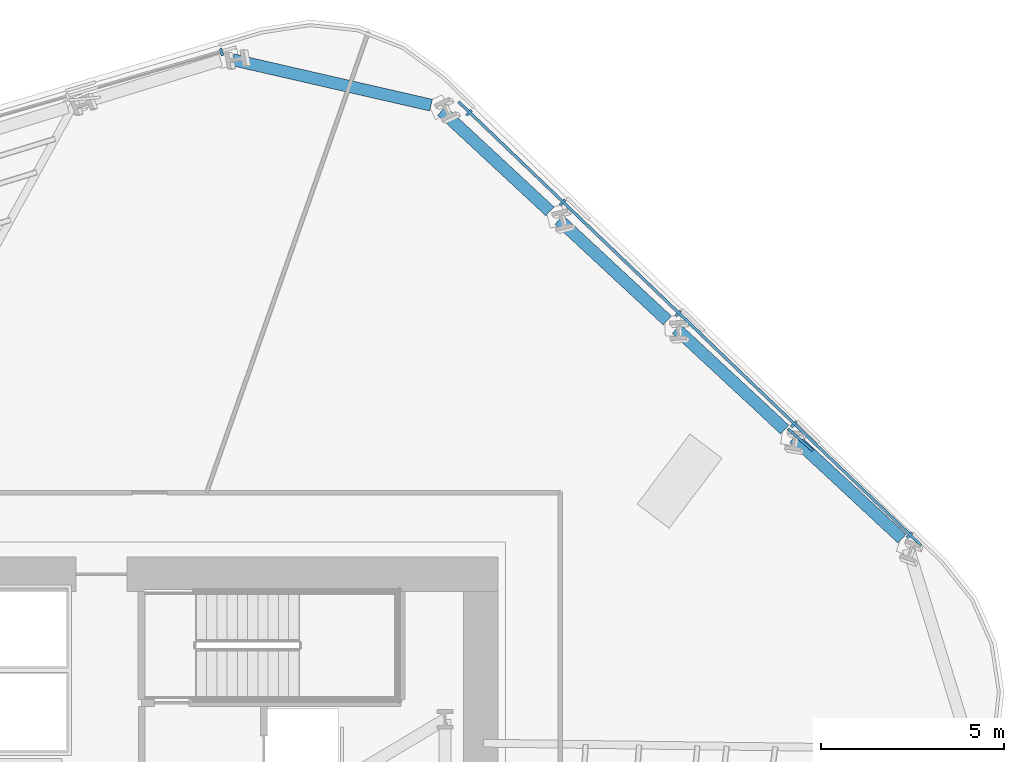
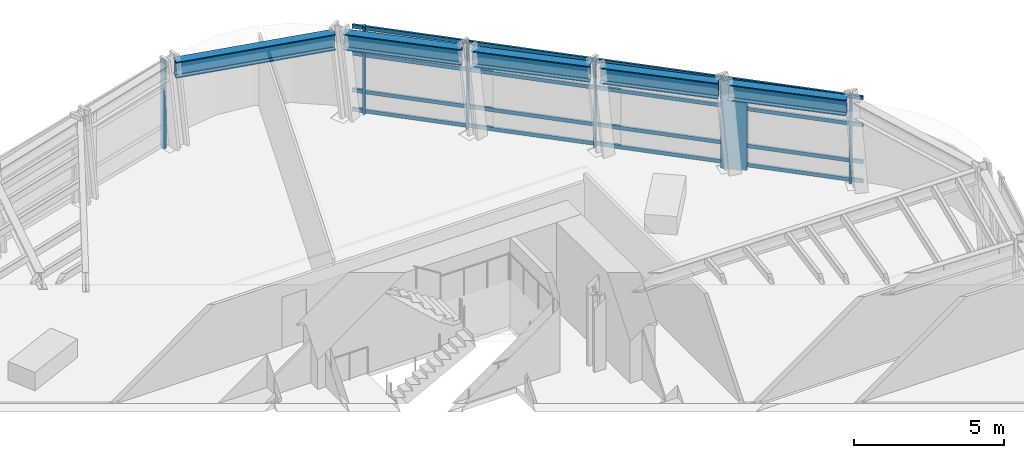
# One storey, part 6 of 15: 11 members, 5 beams, 2 elements without a shape of their own.
"""IFC4 building model written with IfcOpenShell, lengths in metres."""

from ifc_helpers import new_model, si_unit, direction, frame, origin, origin_2d, place, context, subcontext, project, spatial, rectangle, i_section, extrude, material, layer, layer_set, material_profile, profile_set, type_object, element, aggregate, save


model = new_model("IFC4")

# Units and contexts
model_context = context("Model", 3, precision=1e-05, world=origin(), true_north=direction((0.0, 1.0)))
body_context = subcontext(model_context, "Body", "Model", "MODEL_VIEW")
ifc_project = project(units=[si_unit("LENGTHUNIT", "METRE"), si_unit("AREAUNIT", "SQUARE_METRE"), si_unit("VOLUMEUNIT", "CUBIC_METRE"), si_unit("PLANEANGLEUNIT", "RADIAN"), si_unit("MASSUNIT", "GRAM", prefix="KILO")], contexts=[model_context])

# Site, building, storey
site_placement = place(None, origin())
site = spatial("IfcSite", under=ifc_project, at=site_placement, CompositionType="ELEMENT")
building_placement = place(site_placement, origin())
building = spatial("IfcBuilding", under=site, at=building_placement, Name="Valkerne Bourse Tower", CompositionType="ELEMENT")
storey_placement = place(building_placement, frame((0.0, 0.0, 93.39990234375)))
storey = spatial("IfcBuildingStorey", under=building, at=storey_placement, Name="L23", CompositionType="ELEMENT", Elevation=93.39990234375)

# Beams
ifc_material_1 = material(Name="Steel ASTM A992", Category="steel")
ifc_material_profile_1 = material_profile(ifc_material_1, i_section(OverallWidth=0.330078125, OverallDepth=0.647705078125, WebThickness=0.0205078125, FlangeThickness=0.037109375, FilletRadius=0.020263671875, at=origin_2d()), Name="W24X192")
ifc_profile_set_1 = profile_set([ifc_material_profile_1], Name="Steel ASTM A992")
beam_type = type_object("IfcBeamType", Name="BM-W24X192", PredefinedType="SPANDREL", material=ifc_profile_set_1)
for number, where, z_axis, x_axis, name in (
    (1, (67.451904296875, 36.59619140625, 3.25634765625), (-0.732565484331, 0.68069656321, 0.0), (-0.68069656321, -0.732565484331, 0.0), "L23 Hexagonal Spandrel Ring Beam 00"),
    (2, (64.2412109375, 39.579833984375, 3.25634765625), (-0.732565484331, 0.68069656321, 0.0), (-0.68069656321, -0.732565484331, 0.0), "L23 Hexagonal Spandrel Ring Beam 01"),
    (3, (61.030517578125, 42.5634765625, 3.25634765625), (-0.732565484331, 0.68069656321, 0.0), (-0.68069656321, -0.732565484331, 0.0), "L23 Hexagonal Spandrel Ring Beam 02"),
):
    element("IfcBeam", number, at=place(storey_placement, frame(where, z_axis=z_axis, x_axis=x_axis)), inside=storey, type_object=beam_type, Name=name, PredefinedType="SPANDREL", context=body_context, shape_type="SweptSolid", body=[
        extrude(i_section(OverallWidth=0.330078125, OverallDepth=0.647705078125, WebThickness=0.0205078125, FlangeThickness=0.037109375, FilletRadius=0.020263671875, at=origin_2d()), origin(), (0.0, 0.0, 1.0), 4.043212890625),
    ])
beam_1_placement = place(storey_placement, frame((57.819580078125, 45.547119140625, 3.25634765625), z_axis=(-0.732537504185, 0.680726674196, 0.0), x_axis=(-0.680726674196, -0.732537504185, 0.0)))
element("IfcBeam", 4, at=beam_1_placement, inside=storey, type_object=beam_type, Name="L23 Hexagonal Spandrel Ring Beam 03", PredefinedType="SPANDREL", context=body_context, shape_type="SweptSolid", body=[
    extrude(i_section(OverallWidth=0.330078125, OverallDepth=0.647705078125, WebThickness=0.0205078125, FlangeThickness=0.037109375, FilletRadius=0.020263671875, at=origin_2d()), origin(), (0.0, 0.0, 1.0), 4.04296875),
])
beam_2_placement = place(storey_placement, frame((54.567626953125, 48.452880859375, 3.25634765625), z_axis=(-0.974764748406, 0.223234596925, 0.0), x_axis=(-0.223234596925, -0.974764748406, 0.0)))
element("IfcBeam", 5, at=beam_2_placement, inside=storey, type_object=beam_type, Name="L23 Hexagonal Spandrel Ring Beam 04", PredefinedType="SPANDREL", context=body_context, shape_type="SweptSolid", body=[
    extrude(i_section(OverallWidth=0.330078125, OverallDepth=0.647705078125, WebThickness=0.0205078125, FlangeThickness=0.037109375, FilletRadius=0.020263671875, at=origin_2d()), origin(), (0.0, 0.0, 1.0), 5.564453125),
])

# Curtain wall, members
ifc_material_2 = material(Name="Aluminium AA 6063-T6", Category="aluminium")
ifc_layer = layer(ifc_material_2, 0.22998046875)
ifc_layer_set = layer_set([ifc_layer], Name="Aluminium AA 6063-T6")
curtain_wall_type = type_object("IfcCurtainWallType", Name="CW-02", PredefinedType="NOTDEFINED", material=ifc_layer_set)
curtain_wall_1_placement = place(storey_placement, origin())
curtain_wall_1 = element("IfcCurtainWall", 6, at=curtain_wall_1_placement, inside=storey, type_object=curtain_wall_type, Name="L23 Hexagonal Stick Curtain Wall Face 1", PredefinedType="NOTDEFINED")
ifc_material_profile_2 = material_profile(ifc_material_2, rectangle(XDim=0.074951171875, YDim=0.199951171875, at=origin_2d()), Name="CWM-75X200")
ifc_profile_set_2 = profile_set([ifc_material_profile_2], Name="Aluminium AA 6063-T6")
member_type_1 = type_object("IfcMemberType", Name="CW-MUL-220X75", PredefinedType="MULLION", material=ifc_profile_set_2)
member_1_placement = place(storey_placement, frame((67.65478515625, 36.68896484375, 0.0), z_axis=(0.0, 0.0, 1.0), x_axis=(-0.721758795279, 0.692144667997, 0.0)))
member_1 = element("IfcMember", 7, at=member_1_placement, type_object=member_type_1, Name="CW-L23-F1 Jamb Mullion 00A", PredefinedType="MULLION", context=body_context, shape_type="SweptSolid", body=[
    extrude(rectangle(XDim=0.074951171875, YDim=0.199951171875, at=origin_2d()), origin(), (0.0, 0.0, 1.0), 3.580078125),
])
member_2_placement = place(storey_placement, frame((64.491455078125, 39.72265625, 0.0), z_axis=(0.0, 0.0, 1.0), x_axis=(-0.721758795279, 0.692144667997, 0.0)))
member_2 = element("IfcMember", 8, at=member_2_placement, type_object=member_type_1, Name="CW-L23-F1 Jamb Mullion 01A", PredefinedType="MULLION", context=body_context, shape_type="SweptSolid", body=[
    extrude(rectangle(XDim=0.074951171875, YDim=0.199951171875, at=origin_2d()), origin(), (0.0, 0.0, 1.0), 3.580078125),
])
member_3_placement = place(storey_placement, frame((61.327880859375, 42.75634765625, 0.0), z_axis=(0.0, 0.0, 1.0), x_axis=(-0.72177019295, 0.69213278247, 0.0)))
member_3 = element("IfcMember", 9, at=member_3_placement, type_object=member_type_1, Name="CW-L23-F1 Jamb Mullion 02A", PredefinedType="MULLION", context=body_context, shape_type="SweptSolid", body=[
    extrude(rectangle(XDim=0.074951171875, YDim=0.199951171875, at=origin_2d()), origin(), (0.0, 0.0, 1.0), 3.580078125),
])
member_4_placement = place(storey_placement, frame((58.164306640625, 45.7900390625, 0.0), z_axis=(0.0, 0.0, 1.0), x_axis=(-0.721747865057, 0.6921560657, 0.0)))
member_4 = element("IfcMember", 10, at=member_4_placement, type_object=member_type_1, Name="CW-L23-F1 Jamb Mullion 03A", PredefinedType="MULLION", context=body_context, shape_type="SweptSolid", body=[
    extrude(rectangle(XDim=0.074951171875, YDim=0.199951171875, at=origin_2d()), origin(), (0.0, 0.0, 1.0), 3.580078125),
])
member_5_placement = place(storey_placement, frame((55.607421875, 48.2421875, 0.0), z_axis=(0.0, 0.0, 1.0), x_axis=(-0.721747865057, 0.6921560657, 0.0)))
member_5 = element("IfcMember", 11, at=member_5_placement, type_object=member_type_1, Name="CW-L23-F1 Jamb Mullion 03B", PredefinedType="MULLION", context=body_context, shape_type="SweptSolid", body=[
    extrude(rectangle(XDim=0.074951171875, YDim=0.199951171875, at=origin_2d()), origin(), (0.0, 0.0, 1.0), 3.580078125),
])

# Curtain wall, member
curtain_wall_2_placement = place(storey_placement, origin())
curtain_wall_2 = element("IfcCurtainWall", 12, at=curtain_wall_2_placement, inside=storey, type_object=curtain_wall_type, Name="L23 Hexagonal Stick Curtain Wall Face 2", PredefinedType="NOTDEFINED")
member_6_placement = place(storey_placement, frame((48.83642578125, 49.9052734375, 0.0), z_axis=(0.0, 0.0, 1.0), x_axis=(-0.960293593209, -0.278991424317, 0.0)))
member_6 = element("IfcMember", 13, at=member_6_placement, type_object=member_type_1, Name="CW-L23-F2 Jamb Mullion 00A", PredefinedType="MULLION", context=body_context, shape_type="SweptSolid", body=[
    extrude(rectangle(XDim=0.074951171875, YDim=0.199951171875, at=origin_2d()), origin(), (0.0, 0.0, 1.0), 3.580078125),
])
aggregate(curtain_wall_2, [member_6])

# Member
ifc_material_profile_3 = material_profile(ifc_material_2, rectangle(XDim=0.074951171875, YDim=0.14990234375, at=origin_2d()), Name="CWT-75X150")
ifc_profile_set_3 = profile_set([ifc_material_profile_3], Name="Aluminium AA 6063-T6")
member_type_2 = type_object("IfcMemberType", Name="CW-TRN-180X65", PredefinedType="USERDEFINED", material=ifc_profile_set_3)
member_7_placement = place(storey_placement, frame((67.971923828125, 36.41259765625, 0.1201171875), z_axis=(-0.721754544553, 0.692149100568, 0.0), x_axis=(-0.692149100568, -0.721754544553, 0.0)))
member_7 = element("IfcMember", 14, at=member_7_placement, type_object=member_type_2, Name="CW-L23-F1 Continuous Face Transom 1", ObjectType="TRANSOM", PredefinedType="USERDEFINED", context=body_context, shape_type="SweptSolid", body=[
    extrude(rectangle(XDim=0.074951171875, YDim=0.14990234375, at=origin_2d()), origin(), (0.0, 0.0, 1.0), 17.531982421875),
])

member_8_placement = place(storey_placement, frame((67.971923828125, 36.41259765625, 0.900146484375), z_axis=(-0.721754544553, 0.692149100568, 0.0), x_axis=(-0.692149100568, -0.721754544553, 0.0)))
member_8 = element("IfcMember", 15, at=member_8_placement, type_object=member_type_2, Name="CW-L23-F1 Continuous Face Transom 2", ObjectType="TRANSOM", PredefinedType="USERDEFINED", context=body_context, shape_type="SweptSolid", body=[
    extrude(rectangle(XDim=0.074951171875, YDim=0.14990234375, at=origin_2d()), origin(), (0.0, 0.0, 1.0), 17.531982421875),
])

member_9_placement = place(storey_placement, frame((67.971923828125, 36.41259765625, 2.400146484375), z_axis=(-0.721754544553, 0.692149100568, 0.0), x_axis=(-0.692149100568, -0.721754544553, 0.0)))
member_9 = element("IfcMember", 16, at=member_9_placement, type_object=member_type_2, Name="CW-L23-F1 Continuous Face Transom 3", ObjectType="TRANSOM", PredefinedType="USERDEFINED", context=body_context, shape_type="SweptSolid", body=[
    extrude(rectangle(XDim=0.074951171875, YDim=0.14990234375, at=origin_2d()), origin(), (0.0, 0.0, 1.0), 17.531982421875),
])

member_10_placement = place(storey_placement, frame((67.971923828125, 36.41259765625, 3.5), z_axis=(-0.721754544553, 0.692149100568, 0.0), x_axis=(-0.692149100568, -0.721754544553, 0.0)))
member_10 = element("IfcMember", 17, at=member_10_placement, type_object=member_type_2, Name="CW-L23-F1 Continuous Face Transom 4", ObjectType="TRANSOM", PredefinedType="USERDEFINED", context=body_context, shape_type="SweptSolid", body=[
    extrude(rectangle(XDim=0.074951171875, YDim=0.14990234375, at=origin_2d()), origin(), (0.0, 0.0, 1.0), 17.531982421875),
])

aggregate(curtain_wall_1, [member_7, member_8, member_9, member_10, member_1, member_2, member_3, member_4, member_5])

ifc_material_3 = material(Name="Bronze Anodised Aluminium AA 6063-T6", Category="aluminium")
ifc_material_profile_4 = material_profile(ifc_material_3, rectangle(XDim=0.070068359375, YDim=0.89990234375, at=origin_2d()), Name="FIN-70X900")
ifc_profile_set_4 = profile_set([ifc_material_profile_4], Name="Bronze Anodised Aluminium AA 6063-T6")
member_type_3 = type_object("IfcMemberType", Name="FIN-SOLAR-900", PredefinedType="USERDEFINED", material=ifc_profile_set_4)
member_11_placement = place(storey_placement, frame((64.669921875, 39.302001953125, 0.004150390625), z_axis=(0.0, 0.0, 1.0), x_axis=(0.663111880058, 0.748520296669, 0.0)))
element("IfcMember", 18, at=member_11_placement, inside=storey, type_object=member_type_3, Name="L23 Bronze Anodised Solar Fin F1-01", ObjectType="SOLAR_FIN", PredefinedType="USERDEFINED", context=body_context, shape_type="SweptSolid", body=[
    extrude(rectangle(XDim=0.070068359375, YDim=0.89990234375, at=origin_2d()), origin(), (0.0, 0.0, 1.0), 3.572021484375),
])

save(model, "model.ifc")
